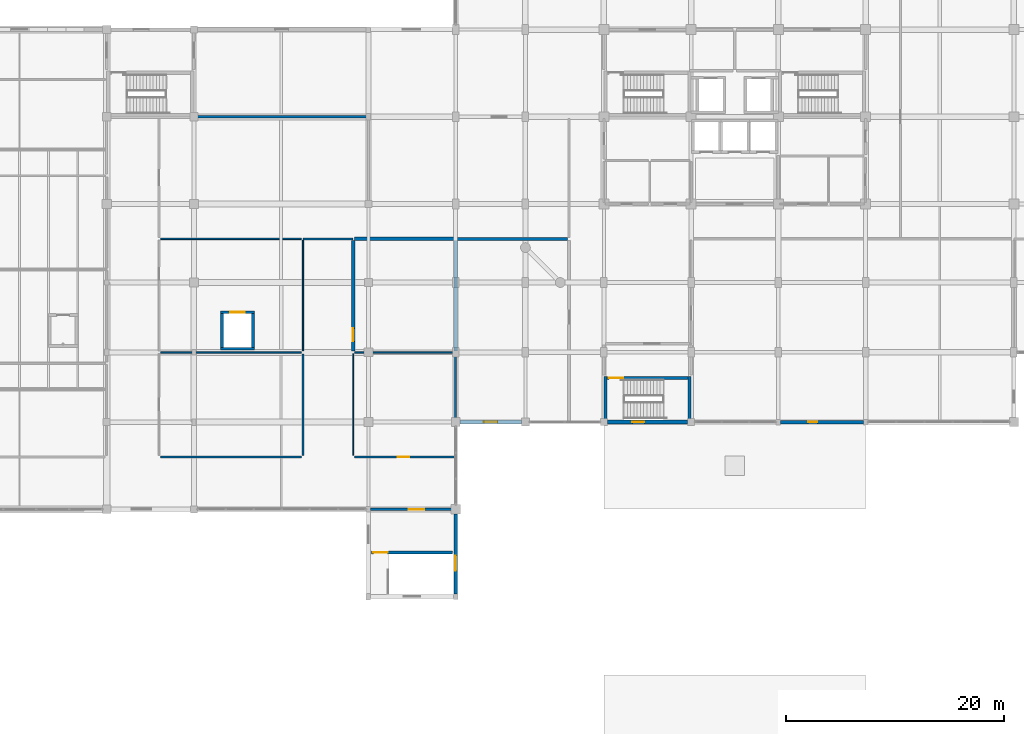
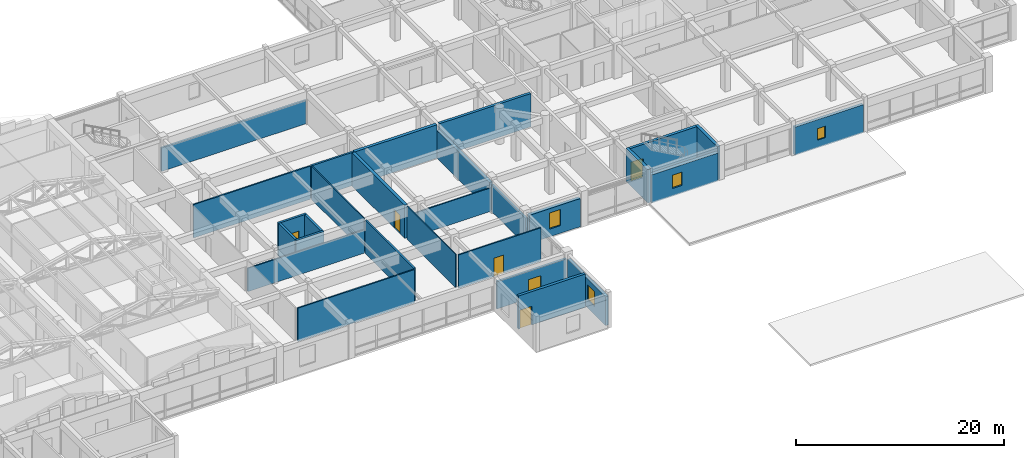
# One storey, part 29 of 35: 28 walls, 6 doors, 4 windows, 10 openings.
"""IFC4 building model written with IfcOpenShell, lengths in metres."""

from ifc_helpers import new_model, si_unit, direction, frame, frame_2d, origin, place, context, subcontext, project, spatial, rectangle, extrude, material, layer, layer_set, type_object, element, fill, save


model = new_model("IFC4")

# Units and contexts
model_context = context("Model", 3, precision=1e-05, world=origin(), true_north=direction((0.0, 1.0)))
body_context = subcontext(model_context, "Body", "Model", "MODEL_VIEW")
ifc_project = project(units=[si_unit("LENGTHUNIT", "METRE"), si_unit("AREAUNIT", "SQUARE_METRE"), si_unit("VOLUMEUNIT", "CUBIC_METRE"), si_unit("PLANEANGLEUNIT", "RADIAN"), si_unit("MASSUNIT", "GRAM", prefix="KILO")], contexts=[model_context])

# Site, building, storey
site_placement = place(None, origin())
site = spatial("IfcSite", under=ifc_project, at=site_placement, CompositionType="ELEMENT")
building_placement = place(site_placement, origin())
building = spatial("IfcBuilding", under=site, at=building_placement, Name="Vellmiral Cinema and Media Centre", CompositionType="ELEMENT")
storey_placement = place(building_placement, frame((0.0, 0.0, 15.60009765625)))
storey = spatial("IfcBuildingStorey", under=building, at=storey_placement, Name="L03", CompositionType="ELEMENT", Elevation=15.60009765625)

# Walls
ifc_material_1 = material(Name="Calcium-Silicate Masonry Blockwork", Category="masonry")
ifc_layer_1 = layer(ifc_material_1, 0.10009765625, Name="Calcium-Silicate Masonry Blockwork", Category="masonry")
ifc_material_2 = material(Name="Mineral Wool Acoustic Insulation", Category="insulation")
ifc_layer_2 = layer(ifc_material_2, 0.090087890625, Name="Mineral Wool Acoustic Insulation", Category="insulation")
ifc_layer_3 = layer(ifc_material_1, 0.10009765625, Name="Calcium-Silicate Masonry Blockwork", Category="masonry")
ifc_layer_set_1 = layer_set([ifc_layer_1, ifc_layer_2, ifc_layer_3], Name="Calcium-Silicate Masonry Blockwork")
wall_type_1 = type_object("IfcWallType", Name="WL-AC-290", PredefinedType="SOLIDWALL", material=ifc_layer_set_1)
wall_1_placement = place(storey_placement, frame((110.5400390625, 76.0, 0.0), z_axis=(0.0, 0.0, 1.0), x_axis=(1.0, 0.0, 0.0)))
element("IfcWall", 1, at=wall_1_placement, inside=storey, type_object=wall_type_1, Name="Colour Mastering Suite 02 Wall N", PredefinedType="SOLIDWALL", context=body_context, shape_type="SweptSolid", body=[
    extrude(rectangle(XDim=10.119873046875, YDim=0.2900390625, at=frame_2d((5.06005859375, 0.0))), origin(), (0.0, 0.0, 1.0), 3.89990234375),
])
ifc_material_3 = material(Name="Calcium-Silicate Masonry Blockwork", Category="masonry")
ifc_layer_4 = layer(ifc_material_3, 0.1201171875, Name="Calcium-Silicate Masonry Blockwork", Category="masonry")
ifc_material_4 = material(Name="Mineral Wool Acoustic Insulation", Category="insulation")
ifc_layer_5 = layer(ifc_material_4, 0.090087890625, Name="Mineral Wool Acoustic Insulation", Category="insulation")
ifc_layer_6 = layer(ifc_material_3, 0.1201171875, Name="Calcium-Silicate Masonry Blockwork", Category="masonry")
ifc_layer_set_2 = layer_set([ifc_layer_4, ifc_layer_5, ifc_layer_6], Name="Calcium-Silicate Masonry Blockwork")
wall_type_2 = type_object("IfcWallType", Name="WL-AC-330", PredefinedType="SOLIDWALL", material=ifc_layer_set_2)
wall_2_placement = place(storey_placement, frame((101.139892578125, 76.0, 0.0), z_axis=(0.0, 0.0, 1.0), x_axis=(1.0, 0.0, 0.0)))
element("IfcWall", 2, at=wall_2_placement, inside=storey, type_object=wall_type_2, Name="Colour Mastering Suite 01 Wall N", PredefinedType="SOLIDWALL", context=body_context, shape_type="SweptSolid", body=[
    extrude(rectangle(XDim=9.1201171875, YDim=0.330078125, at=frame_2d((4.56005859375, 0.0))), origin(), (0.0, 0.0, 1.0), 3.89990234375),
])

# Wall, opening, door
wall_3_placement = place(storey_placement, frame((101.0, 65.739990234375, 0.0), z_axis=(0.0, 0.0, 1.0), x_axis=(0.0, 1.0, 0.0)))
wall_3 = element("IfcWall", 3, at=wall_3_placement, inside=storey, type_object=wall_type_2, Name="Colour Mastering Suite 01 Wall W", PredefinedType="SOLIDWALL", context=body_context, shape_type="SweptSolid", body=[
    extrude(rectangle(XDim=10.1201171875, YDim=0.330078125, at=frame_2d((5.06005859375, 0.0))), origin(), (0.0, 0.0, 1.0), 3.89990234375),
])
opening_1_placement = place(wall_3_placement, frame((0.860107421875, 0.0, 0.0)))
opening_1 = element("IfcOpeningElement", 4, at=opening_1_placement, cuts=wall_3, Name="Opening D-AC5", PredefinedType="OPENING", context=body_context, shape_type="SweptSolid", body=[
    extrude(rectangle(XDim=1.199951171875, YDim=2.199951171875, at=frame_2d((0.60009765625, 1.10009765625))), frame((0.0, 0.177001953125, 0.0), z_axis=(0.0, -1.0, 0.0), x_axis=(1.0, 0.0, 0.0)), (0.0, 0.0, 1.0), 0.35400390625),
])
ifc_material_5 = material(Name="Acoustic Mastering Door", Category="steel")
door_type_1 = type_object("IfcDoorType", Name="DR-AC-1200x2200", OperationType="NOTDEFINED", PredefinedType="DOOR", material=ifc_material_5)
door_1_placement = place(opening_1_placement, frame((1.199951171875, 0.0, 0.0), z_axis=(0.0, 0.0, 1.0), x_axis=(-1.0, 0.0, 0.0)))
door_1 = element("IfcDoor", 5, at=door_1_placement, inside=storey, type_object=door_type_1, Name="Colour Mastering Suite 01 Door", OperationType="SINGLE_SWING_RIGHT", OverallHeight=2.199951171875, OverallWidth=1.199951171875, PredefinedType="DOOR", context=body_context, shape_type="SweptSolid", body=[
    extrude(rectangle(XDim=1.199951171875, YDim=2.199951171875, at=frame_2d((0.60009765625, 1.10009765625))), frame((0.0, 0.02490234375, 0.0), z_axis=(0.0, -1.0, 0.0), x_axis=(1.0, 0.0, 0.0)), (0.0, 0.0, 1.0), 0.050048828125),
])
fill(opening_1, door_1)

# Walls
wall_4_placement = place(storey_placement, frame((110.39990234375, 65.739990234375, 0.0), z_axis=(0.0, 0.0, 1.0), x_axis=(0.0, 1.0, 0.0)))
element("IfcWall", 6, at=wall_4_placement, inside=storey, type_object=wall_type_2, Name="Colour Mastering Suite 01 Wall E", PredefinedType="SOLIDWALL", context=body_context, shape_type="SweptSolid", body=[
    extrude(rectangle(XDim=10.1201171875, YDim=0.330078125, at=frame_2d((5.06005859375, 0.0))), origin(), (0.0, 0.0, 1.0), 3.244873046875),
])
ifc_material_6 = material(Name="Concrete C40/50", Category="concrete")
ifc_layer_7 = layer(ifc_material_6, 0.2099609375, Name="Concrete C40/50")
ifc_layer_set_3 = layer_set([ifc_layer_7], Name="Concrete C40/50")
wall_type_3 = type_object("IfcWallType", Name="WL-COMP-210", PredefinedType="SOLIDWALL", material=ifc_layer_set_3)
wall_5_placement = place(storey_placement, frame((96.39990234375, 76.0, 0.0), z_axis=(0.0, 0.0, 1.0), x_axis=(1.0, 0.0, 0.0)))
element("IfcWall", 7, at=wall_5_placement, inside=storey, type_object=wall_type_3, Name="Media Library Reference Stacks Wall S", PredefinedType="SOLIDWALL", context=body_context, shape_type="SweptSolid", body=[
    extrude(rectangle(XDim=4.60009765625, YDim=0.2099609375, at=frame_2d((2.300048828125, 0.0))), origin(), (0.0, 0.0, 1.0), 3.89990234375),
])
wall_6_placement = place(storey_placement, frame((86.239990234375, 87.199951171875, 0.0), z_axis=(0.0, 0.0, 1.0), x_axis=(1.0, 0.0, 0.0)))
element("IfcWall", 8, at=wall_6_placement, inside=storey, type_object=wall_type_3, Name="Media Library Reference Stacks Wall N", PredefinedType="SOLIDWALL", context=body_context, shape_type="SweptSolid", body=[
    extrude(rectangle(XDim=16.02001953125, YDim=0.2099609375, at=frame_2d((8.010009765625, 0.0))), origin(), (0.0, 0.0, 1.0), 2.744873046875),
])

# Wall, opening, door
ifc_material_7 = material(Name="Concrete C40/50", Category="concrete")
ifc_layer_8 = layer(ifc_material_7, 0.300048828125, Name="Concrete C40/50")
ifc_layer_set_4 = layer_set([ifc_layer_8], Name="Concrete C40/50")
wall_type_4 = type_object("IfcWallType", Name="WL-CORE-300", PredefinedType="SHEAR", material=ifc_layer_set_4)
wall_7_placement = place(storey_placement, frame((102.699951171875, 47.25, 0.0), z_axis=(0.0, 0.0, 1.0), x_axis=(1.0, 0.0, 0.0)))
wall_7 = element("IfcWall", 9, at=wall_7_placement, inside=storey, type_object=wall_type_4, Name="Stair Core Wall ST-P4 L03-N", PredefinedType="SHEAR", context=body_context, shape_type="SweptSolid", body=[
    extrude(rectangle(XDim=7.400146484375, YDim=0.300048828125, at=frame_2d((3.7001953125, 0.0))), origin(), (0.0, 0.0, 1.0), 3.89990234375),
])
opening_2_placement = place(wall_7_placement, frame((0.159912109375, 0.0, 0.0)))
opening_2 = element("IfcOpeningElement", 10, at=opening_2_placement, cuts=wall_7, Name="Opening D-FD30A", PredefinedType="OPENING", context=body_context, shape_type="SweptSolid", body=[
    extrude(rectangle(XDim=1.300048828125, YDim=2.179931640625, at=frame_2d((0.64990234375, 1.08984375))), frame((0.0, 0.162109375, 0.0), z_axis=(0.0, -1.0, 0.0), x_axis=(1.0, 0.0, 0.0)), (0.0, 0.0, 1.0), 0.323974609375),
])
ifc_material_8 = material(Name="Steel Stair Fire Door", Category="steel")
door_type_2 = type_object("IfcDoorType", Name="DR-FD30-1300x2180", OperationType="NOTDEFINED", PredefinedType="DOOR", material=ifc_material_8)
door_2_placement = place(opening_2_placement, frame((1.300048828125, 0.0, 0.0), z_axis=(0.0, 0.0, 1.0), x_axis=(-1.0, 0.0, 0.0)))
door_2 = element("IfcDoor", 11, at=door_2_placement, inside=storey, type_object=door_type_2, Name="Protected Stair Door ST-P4 L03", OperationType="SINGLE_SWING_RIGHT", OverallHeight=2.179931640625, OverallWidth=1.300048828125, PredefinedType="DOOR", context=body_context, shape_type="SweptSolid", body=[
    extrude(rectangle(XDim=1.300048828125, YDim=2.179931640625, at=frame_2d((0.64990234375, 1.08984375))), frame((0.0, 0.02490234375, 0.0), z_axis=(0.0, -1.0, 0.0), x_axis=(1.0, 0.0, 0.0)), (0.0, 0.0, 1.0), 0.050048828125),
])
fill(opening_2, door_2)

# Walls
for number, where, z_axis, x_axis, name in (
    (12, (124.14990234375, 59.199951171875, 0.0), (0.0, 0.0, 1.0), (0.0, 1.0, 0.0), "Stair Core Wall ST-P6 L03-W"),
    (13, (131.85009765625, 59.199951171875, 0.0), (0.0, 0.0, 1.0), (0.0, 1.0, 0.0), "Stair Core Wall ST-P6 L03-E"),
):
    element("IfcWall", number, at=place(storey_placement, frame(where, z_axis=z_axis, x_axis=x_axis)), inside=storey, type_object=wall_type_4, Name=name, PredefinedType="SHEAR", context=body_context, shape_type="SweptSolid", body=[
        extrude(rectangle(XDim=4.199951171875, YDim=0.300048828125, at=frame_2d((2.10009765625, 0.0))), origin(), (0.0, 0.0, 1.0), 3.89990234375),
    ])

# Wall, opening, door
wall_8_placement = place(storey_placement, frame((124.300048828125, 63.25, 0.0), z_axis=(0.0, 0.0, 1.0), x_axis=(1.0, 0.0, 0.0)))
wall_8 = element("IfcWall", 14, at=wall_8_placement, inside=storey, type_object=wall_type_4, Name="Stair Core Wall ST-P6 L03-N", PredefinedType="SHEAR", context=body_context, shape_type="SweptSolid", body=[
    extrude(rectangle(XDim=7.39990234375, YDim=0.300048828125, at=frame_2d((3.699951171875, 0.0))), origin(), (0.0, 0.0, 1.0), 3.89990234375),
])
opening_3_placement = place(wall_8_placement, frame((0.159912109375, 0.0, 0.0)))
opening_3 = element("IfcOpeningElement", 15, at=opening_3_placement, cuts=wall_8, Name="Opening D-FD30A", PredefinedType="OPENING", context=body_context, shape_type="SweptSolid", body=[
    extrude(rectangle(XDim=1.300048828125, YDim=2.179931640625, at=frame_2d((0.64990234375, 1.08984375))), frame((0.0, 0.162109375, 0.0), z_axis=(0.0, -1.0, 0.0), x_axis=(1.0, 0.0, 0.0)), (0.0, 0.0, 1.0), 0.323974609375),
])
door_3_placement = place(opening_3_placement, frame((1.300048828125, 0.0, 0.0), z_axis=(0.0, 0.0, 1.0), x_axis=(-1.0, 0.0, 0.0)))
door_3 = element("IfcDoor", 16, at=door_3_placement, inside=storey, type_object=door_type_2, Name="Protected Stair Door ST-P6 L03", OperationType="SINGLE_SWING_RIGHT", OverallHeight=2.179931640625, OverallWidth=1.300048828125, PredefinedType="DOOR", context=body_context, shape_type="SweptSolid", body=[
    extrude(rectangle(XDim=1.300048828125, YDim=2.179931640625, at=frame_2d((0.64990234375, 1.08984375))), frame((0.0, 0.02490234375, 0.0), z_axis=(0.0, -1.0, 0.0), x_axis=(1.0, 0.0, 0.0)), (0.0, 0.0, 1.0), 0.050048828125),
])
fill(opening_3, door_3)

# Wall, opening, window
ifc_material_9 = material(Name="Polychrome Glazed Ceramic Cladding", Category="masonry")
ifc_layer_9 = layer(ifc_material_9, 0.320068359375, Name="Polychrome Glazed Ceramic Cladding")
ifc_layer_set_5 = layer_set([ifc_layer_9], Name="Polychrome Glazed Ceramic Cladding")
wall_type_5 = type_object("IfcWallType", Name="WL-EXT-BRICK-320", PredefinedType="SOLIDWALL", material=ifc_layer_set_5)
wall_9_placement = place(storey_placement, frame((110.39990234375, 43.449951171875, 0.0), z_axis=(0.0, 0.0, 1.0), x_axis=(0.0, 1.0, 0.0)))
wall_9 = element("IfcWall", 17, at=wall_9_placement, inside=storey, type_object=wall_type_5, Name="Exterior Facade Wall L03-009", PredefinedType="SOLIDWALL", context=body_context, shape_type="SweptSolid", body=[
    extrude(rectangle(XDim=7.324951171875, YDim=0.320068359375, at=frame_2d((3.66259765625, 0.0))), origin(), (0.0, 0.0, 1.0), 3.375),
])
opening_4_placement = place(wall_9_placement, frame((2.112548828125, 0.0, 0.89990234375)))
opening_4 = element("IfcOpeningElement", 18, at=opening_4_placement, cuts=wall_9, Name="Opening WN-07", PredefinedType="OPENING", context=body_context, shape_type="SweptSolid", body=[
    extrude(rectangle(XDim=1.39990234375, YDim=1.800048828125, at=frame_2d((0.699951171875, 0.89990234375))), frame((0.0, 0.171875, 0.0), z_axis=(0.0, -1.0, 0.0), x_axis=(1.0, 0.0, 0.0)), (0.0, 0.0, 1.0), 0.343994140625),
])
ifc_material_10 = material(Name="Thermally Broken Aluminium Triple Glazing", Category="aluminium")
window_type_1 = type_object("IfcWindowType", Name="WN-1400x1800", PartitioningType="SINGLE_PANEL", PredefinedType="WINDOW", material=ifc_material_10)
window_1_placement = place(opening_4_placement, origin())
window_1 = element("IfcWindow", 19, at=window_1_placement, inside=storey, type_object=window_type_1, Name="Window L03-009", OverallHeight=1.800048828125, OverallWidth=1.39990234375, PartitioningType="SINGLE_PANEL", PredefinedType="WINDOW", context=body_context, shape_type="SweptSolid", body=[
    extrude(rectangle(XDim=1.39990234375, YDim=1.800048828125, at=frame_2d((0.699951171875, 0.89990234375))), frame((0.0, 0.030029296875, 0.0), z_axis=(0.0, -1.0, 0.0), x_axis=(1.0, 0.0, 0.0)), (0.0, 0.0, 1.0), 0.06005859375),
])
fill(opening_4, window_1)

wall_10_placement = place(storey_placement, frame((140.199951171875, 59.199951171875, 0.0), z_axis=(0.0, 0.0, 1.0), x_axis=(1.0, 0.0, 0.0)))
wall_10 = element("IfcWall", 20, at=wall_10_placement, inside=storey, type_object=wall_type_5, Name="Exterior Facade Wall L03-015", PredefinedType="SOLIDWALL", context=body_context, shape_type="SweptSolid", body=[
    extrude(rectangle(XDim=7.60009765625, YDim=0.320068359375, at=frame_2d((3.800048828125, 0.0))), origin(), (0.0, 0.0, 1.0), 3.2998046875),
])
opening_5_placement = place(wall_10_placement, frame((2.52490234375, 0.0, 0.89990234375)))
opening_5 = element("IfcOpeningElement", 21, at=opening_5_placement, cuts=wall_10, Name="Opening WN-13", PredefinedType="OPENING", context=body_context, shape_type="SweptSolid", body=[
    extrude(rectangle(XDim=0.85009765625, YDim=1.35009765625, at=frame_2d((0.425048828125, 0.675048828125))), frame((0.0, 0.171875, 0.0), z_axis=(0.0, -1.0, 0.0), x_axis=(1.0, 0.0, 0.0)), (0.0, 0.0, 1.0), 0.343994140625),
])
ifc_material_11 = material(Name="Thermally Broken Aluminium Triple Glazing", Category="aluminium")
window_type_2 = type_object("IfcWindowType", Name="WN-0850x1350", PartitioningType="SINGLE_PANEL", PredefinedType="WINDOW", material=ifc_material_11)
window_2_placement = place(opening_5_placement, origin())
window_2 = element("IfcWindow", 22, at=window_2_placement, inside=storey, type_object=window_type_2, Name="Window L03-015", OverallHeight=1.35009765625, OverallWidth=0.85009765625, PartitioningType="SINGLE_PANEL", PredefinedType="WINDOW", context=body_context, shape_type="SweptSolid", body=[
    extrude(rectangle(XDim=0.85009765625, YDim=1.35009765625, at=frame_2d((0.425048828125, 0.675048828125))), frame((0.0, 0.030029296875, 0.0), z_axis=(0.0, -1.0, 0.0), x_axis=(1.0, 0.0, 0.0)), (0.0, 0.0, 1.0), 0.06005859375),
])
fill(opening_5, window_2)

ifc_material_12 = material(Name="Vosges Red Sandstone Masonry", Category="masonry")
ifc_layer_10 = layer(ifc_material_12, 0.3798828125, Name="Vosges Red Sandstone Masonry")
ifc_layer_set_6 = layer_set([ifc_layer_10], Name="Vosges Red Sandstone Masonry")
wall_type_6 = type_object("IfcWallType", Name="WL-EXT-SAND-380", PredefinedType="SOLIDWALL", material=ifc_layer_set_6)
wall_11_placement = place(storey_placement, frame((110.800048828125, 59.199951171875, 0.0), z_axis=(0.0, 0.0, 1.0), x_axis=(1.0, 0.0, 0.0)))
wall_11 = element("IfcWall", 23, at=wall_11_placement, inside=storey, type_object=wall_type_6, Name="Exterior Facade Wall L03-011", PredefinedType="SOLIDWALL", context=body_context, shape_type="SweptSolid", body=[
    extrude(rectangle(XDim=5.625, YDim=0.3798828125, at=frame_2d((2.8125, 0.0))), origin(), (0.0, 0.0, 1.0), 3.2998046875),
])
opening_6_placement = place(wall_11_placement, frame((2.1875, 0.0, 0.89990234375)))
opening_6 = element("IfcOpeningElement", 24, at=opening_6_placement, cuts=wall_11, Name="Opening WN-09", PredefinedType="OPENING", context=body_context, shape_type="SweptSolid", body=[
    extrude(rectangle(XDim=1.25, YDim=1.89990234375, at=frame_2d((0.625, 0.949951171875))), frame((0.0, 0.201904296875, 0.0), z_axis=(0.0, -1.0, 0.0), x_axis=(1.0, 0.0, 0.0)), (0.0, 0.0, 1.0), 0.40380859375),
])
ifc_material_13 = material(Name="Thermally Broken Aluminium Triple Glazing", Category="aluminium")
window_type_3 = type_object("IfcWindowType", Name="WN-1250x1900", PartitioningType="SINGLE_PANEL", PredefinedType="WINDOW", material=ifc_material_13)
window_3_placement = place(opening_6_placement, origin())
window_3 = element("IfcWindow", 25, at=window_3_placement, inside=storey, type_object=window_type_3, Name="Window L03-011", OverallHeight=1.89990234375, OverallWidth=1.25, PartitioningType="SINGLE_PANEL", PredefinedType="WINDOW", context=body_context, shape_type="SweptSolid", body=[
    extrude(rectangle(XDim=1.25, YDim=1.89990234375, at=frame_2d((0.625, 0.949951171875))), frame((0.0, 0.030029296875, 0.0), z_axis=(0.0, -1.0, 0.0), x_axis=(1.0, 0.0, 0.0)), (0.0, 0.0, 1.0), 0.06005859375),
])
fill(opening_6, window_3)

wall_12_placement = place(storey_placement, frame((124.324951171875, 59.199951171875, 0.0), z_axis=(0.0, 0.0, 1.0), x_axis=(1.0, 0.0, 0.0)))
wall_12 = element("IfcWall", 26, at=wall_12_placement, inside=storey, type_object=wall_type_6, Name="Exterior Facade Wall L03-013", PredefinedType="SOLIDWALL", context=body_context, shape_type="SweptSolid", body=[
    extrude(rectangle(XDim=7.35009765625, YDim=0.3798828125, at=frame_2d((3.675048828125, 0.0))), origin(), (0.0, 0.0, 1.0), 3.294921875),
])
opening_7_placement = place(wall_12_placement, frame((2.27490234375, 0.0, 0.89990234375)))
opening_7 = element("IfcOpeningElement", 27, at=opening_7_placement, cuts=wall_12, Name="Opening WN-11", PredefinedType="OPENING", context=body_context, shape_type="SweptSolid", body=[
    extrude(rectangle(XDim=1.10009765625, YDim=1.550048828125, at=frame_2d((0.550048828125, 0.77490234375))), frame((0.0, 0.201904296875, 0.0), z_axis=(0.0, -1.0, 0.0), x_axis=(1.0, 0.0, 0.0)), (0.0, 0.0, 1.0), 0.40380859375),
])
ifc_material_14 = material(Name="Thermally Broken Aluminium Triple Glazing", Category="aluminium")
window_type_4 = type_object("IfcWindowType", Name="WN-1100x1550", PartitioningType="SINGLE_PANEL", PredefinedType="WINDOW", material=ifc_material_14)
window_4_placement = place(opening_7_placement, origin())
window_4 = element("IfcWindow", 28, at=window_4_placement, inside=storey, type_object=window_type_4, Name="Window L03-013", OverallHeight=1.550048828125, OverallWidth=1.10009765625, PartitioningType="SINGLE_PANEL", PredefinedType="WINDOW", context=body_context, shape_type="SweptSolid", body=[
    extrude(rectangle(XDim=1.10009765625, YDim=1.550048828125, at=frame_2d((0.550048828125, 0.77490234375))), frame((0.0, 0.030029296875, 0.0), z_axis=(0.0, -1.0, 0.0), x_axis=(1.0, 0.0, 0.0)), (0.0, 0.0, 1.0), 0.06005859375),
])
fill(opening_7, window_4)

# Wall, opening, door
ifc_material_15 = material(Name="Concrete C40/50", Category="concrete")
ifc_layer_11 = layer(ifc_material_15, 0.22998046875, Name="Concrete C40/50")
ifc_layer_set_7 = layer_set([ifc_layer_11], Name="Concrete C40/50")
wall_type_7 = type_object("IfcWallType", Name="WL-FFL-230", PredefinedType="SOLIDWALL", material=ifc_layer_set_7)
wall_13_placement = place(storey_placement, frame((102.60498046875, 51.199951171875, 0.0), z_axis=(0.0, 0.0, 1.0), x_axis=(1.0, 0.0, 0.0)))
wall_13 = element("IfcWall", 29, at=wall_13_placement, inside=storey, type_object=wall_type_7, Name="Firefighting Stair Lobby ST-P4 Wall N", PredefinedType="SOLIDWALL", context=body_context, shape_type="SweptSolid", body=[
    extrude(rectangle(XDim=7.68994140625, YDim=0.22998046875, at=frame_2d((3.844970703125, 0.0))), origin(), (0.0, 0.0, 1.0), 3.19482421875),
])
opening_8_placement = place(wall_13_placement, frame((3.4951171875, 0.0, 0.0)))
opening_8 = element("IfcOpeningElement", 30, at=opening_8_placement, cuts=wall_13, Name="Opening D-FD60B", PredefinedType="OPENING", context=body_context, shape_type="SweptSolid", body=[
    extrude(rectangle(XDim=1.39990234375, YDim=2.199951171875, at=frame_2d((0.699951171875, 1.10009765625))), frame((0.0, 0.126953125, 0.0), z_axis=(0.0, -1.0, 0.0), x_axis=(1.0, 0.0, 0.0)), (0.0, 0.0, 1.0), 0.25390625),
])
ifc_material_16 = material(Name="Steel Fire Door", Category="steel")
door_type_3 = type_object("IfcDoorType", Name="DR-FD60-1400x2200", OperationType="NOTDEFINED", PredefinedType="DOOR", material=ifc_material_16)
door_4_placement = place(opening_8_placement, frame((1.39990234375, 0.0, 0.0), z_axis=(0.0, 0.0, 1.0), x_axis=(-1.0, 0.0, 0.0)))
door_4 = element("IfcDoor", 31, at=door_4_placement, inside=storey, type_object=door_type_3, Name="Firefighting Stair Lobby ST-P4 Door", OperationType="SINGLE_SWING_LEFT", OverallHeight=2.199951171875, OverallWidth=1.39990234375, PredefinedType="DOOR", context=body_context, shape_type="SweptSolid", body=[
    extrude(rectangle(XDim=1.39990234375, YDim=2.199951171875, at=frame_2d((0.699951171875, 1.10009765625))), frame((0.0, 0.02490234375, 0.0), z_axis=(0.0, -1.0, 0.0), x_axis=(1.0, 0.0, 0.0)), (0.0, 0.0, 1.0), 0.050048828125),
])
fill(opening_8, door_4)

# Walls
ifc_material_17 = material(Name="Gypsum Plasterboard")
ifc_layer_12 = layer(ifc_material_17, 0.02490234375, Name="Gypsum Plasterboard", Category="gypsum")
ifc_material_18 = material(Name="Mineral Wool Acoustic Insulation", Category="insulation")
ifc_layer_13 = layer(ifc_material_18, 0.06005859375, Name="Mineral Wool Acoustic Insulation", Category="insulation")
ifc_layer_14 = layer(ifc_material_17, 0.02490234375, Name="Gypsum Plasterboard", Category="gypsum")
ifc_layer_set_8 = layer_set([ifc_layer_12, ifc_layer_13, ifc_layer_14], Name="Gypsum Plasterboard")
wall_type_8 = type_object("IfcWallType", Name="WL-PART-110", PredefinedType="PARTITIONING", material=ifc_layer_set_8)
wall_14_placement = place(storey_placement, frame((101.0, 56.139892578125, 0.0), z_axis=(0.0, 0.0, 1.0), x_axis=(0.0, 1.0, 0.0)))
element("IfcWall", 32, at=wall_14_placement, inside=storey, type_object=wall_type_8, Name="Editing Suite 11 Wall W", PredefinedType="PARTITIONING", context=body_context, shape_type="SweptSolid", body=[
    extrude(rectangle(XDim=9.320068359375, YDim=0.110107421875, at=frame_2d((4.66015625, 0.0))), origin(), (0.0, 0.0, 1.0), 3.89990234375),
])
wall_15_placement = place(storey_placement, frame((96.39990234375, 65.739990234375, 0.0), z_axis=(0.0, 0.0, 1.0), x_axis=(0.0, 1.0, 0.0)))
element("IfcWall", 33, at=wall_15_placement, inside=storey, type_object=wall_type_8, Name="Editing Suite 12 Wall E", PredefinedType="PARTITIONING", context=body_context, shape_type="SweptSolid", body=[
    extrude(rectangle(XDim=10.1201171875, YDim=0.110107421875, at=frame_2d((5.06005859375, 0.0))), origin(), (0.0, 0.0, 1.0), 3.89990234375),
])
ifc_material_19 = material(Name="Gypsum Plasterboard")
ifc_layer_15 = layer(ifc_material_19, 0.02490234375, Name="Gypsum Plasterboard", Category="gypsum")
ifc_material_20 = material(Name="Mineral Wool Acoustic Insulation", Category="insulation")
ifc_layer_16 = layer(ifc_material_20, 0.080078125, Name="Mineral Wool Acoustic Insulation", Category="insulation")
ifc_layer_17 = layer(ifc_material_19, 0.02490234375, Name="Gypsum Plasterboard", Category="gypsum")
ifc_layer_set_9 = layer_set([ifc_layer_15, ifc_layer_16, ifc_layer_17], Name="Gypsum Plasterboard")
wall_type_9 = type_object("IfcWallType", Name="WL-PART-130", PredefinedType="PARTITIONING", material=ifc_layer_set_9)
wall_16_placement = place(storey_placement, frame((83.340087890625, 65.60009765625, 0.0), z_axis=(0.0, 0.0, 1.0), x_axis=(1.0, 0.0, 0.0)))
element("IfcWall", 34, at=wall_16_placement, inside=storey, type_object=wall_type_9, Name="Editing Suite 10 Wall N", PredefinedType="PARTITIONING", context=body_context, shape_type="SweptSolid", body=[
    extrude(rectangle(XDim=12.919921875, YDim=0.1298828125, at=frame_2d((6.4599609375, 0.0))), origin(), (0.0, 0.0, 1.0), 2.744873046875),
])
wall_17_placement = place(storey_placement, frame((101.139892578125, 65.60009765625, 0.0), z_axis=(0.0, 0.0, 1.0), x_axis=(1.0, 0.0, 0.0)))
element("IfcWall", 35, at=wall_17_placement, inside=storey, type_object=wall_type_9, Name="Editing Suite 11 Wall N", PredefinedType="PARTITIONING", context=body_context, shape_type="SweptSolid", body=[
    extrude(rectangle(XDim=9.1201171875, YDim=0.1298828125, at=frame_2d((4.56005859375, 0.0))), origin(), (0.0, 0.0, 1.0), 2.744873046875),
])
ifc_material_21 = material(Name="Gypsum Plasterboard")
ifc_layer_18 = layer(ifc_material_21, 0.02490234375, Name="Gypsum Plasterboard", Category="gypsum")
ifc_material_22 = material(Name="Mineral Wool Acoustic Insulation", Category="insulation")
ifc_layer_19 = layer(ifc_material_22, 0.10009765625, Name="Mineral Wool Acoustic Insulation", Category="insulation")
ifc_layer_20 = layer(ifc_material_21, 0.02490234375, Name="Gypsum Plasterboard", Category="gypsum")
ifc_layer_set_10 = layer_set([ifc_layer_18, ifc_layer_19, ifc_layer_20], Name="Gypsum Plasterboard")
wall_type_10 = type_object("IfcWallType", Name="WL-PART-150", PredefinedType="PARTITIONING", material=ifc_layer_set_10)
wall_18_placement = place(storey_placement, frame((83.340087890625, 56.0, 0.0), z_axis=(0.0, 0.0, 1.0), x_axis=(1.0, 0.0, 0.0)))
element("IfcWall", 36, at=wall_18_placement, inside=storey, type_object=wall_type_10, Name="Editing Suite 10 Wall S", PredefinedType="PARTITIONING", context=body_context, shape_type="SweptSolid", body=[
    extrude(rectangle(XDim=12.919921875, YDim=0.14990234375, at=frame_2d((6.4599609375, 0.0))), origin(), (0.0, 0.0, 1.0), 3.89990234375),
])

# Wall, opening, door
wall_19_placement = place(storey_placement, frame((101.139892578125, 56.0, 0.0), z_axis=(0.0, 0.0, 1.0), x_axis=(1.0, 0.0, 0.0)))
wall_19 = element("IfcWall", 37, at=wall_19_placement, inside=storey, type_object=wall_type_10, Name="Editing Suite 11 Wall S", PredefinedType="PARTITIONING", context=body_context, shape_type="SweptSolid", body=[
    extrude(rectangle(XDim=9.155029296875, YDim=0.14990234375, at=frame_2d((4.57763671875, 0.0))), origin(), (0.0, 0.0, 1.0), 3.89990234375),
])
opening_9_placement = place(wall_19_placement, frame((3.93505859375, 0.0, 0.0)))
opening_9 = element("IfcOpeningElement", 38, at=opening_9_placement, cuts=wall_19, Name="Opening D-AC6", PredefinedType="OPENING", context=body_context, shape_type="SweptSolid", body=[
    extrude(rectangle(XDim=1.050048828125, YDim=2.14990234375, at=frame_2d((0.52490234375, 1.074951171875))), frame((0.0, 0.0869140625, 0.0), z_axis=(0.0, -1.0, 0.0), x_axis=(1.0, 0.0, 0.0)), (0.0, 0.0, 1.0), 0.173828125),
])
ifc_material_23 = material(Name="Acoustic Editing Suite Door", Category="wood")
door_type_4 = type_object("IfcDoorType", Name="DR-AC-1050x2150", OperationType="NOTDEFINED", PredefinedType="DOOR", material=ifc_material_23)
door_5_placement = place(opening_9_placement, origin())
door_5 = element("IfcDoor", 39, at=door_5_placement, inside=storey, type_object=door_type_4, Name="Editing Suite 11 Door", OperationType="SINGLE_SWING_LEFT", OverallHeight=2.14990234375, OverallWidth=1.050048828125, PredefinedType="DOOR", context=body_context, shape_type="SweptSolid", body=[
    extrude(rectangle(XDim=1.050048828125, YDim=2.14990234375, at=frame_2d((0.52490234375, 1.074951171875))), frame((0.0, 0.02490234375, 0.0), z_axis=(0.0, -1.0, 0.0), x_axis=(1.0, 0.0, 0.0)), (0.0, 0.0, 1.0), 0.050048828125),
])
fill(opening_9, door_5)

# Walls
wall_20_placement = place(storey_placement, frame((83.340087890625, 76.0, 0.0), z_axis=(0.0, 0.0, 1.0), x_axis=(1.0, 0.0, 0.0)))
element("IfcWall", 40, at=wall_20_placement, inside=storey, type_object=wall_type_10, Name="Editing Suite 12 Wall N", PredefinedType="PARTITIONING", context=body_context, shape_type="SweptSolid", body=[
    extrude(rectangle(XDim=12.919921875, YDim=0.14990234375, at=frame_2d((6.4599609375, 0.0))), origin(), (0.0, 0.0, 1.0), 3.89990234375),
])
ifc_material_24 = material(Name="Gypsum Plasterboard")
ifc_layer_21 = layer(ifc_material_24, 0.02490234375, Name="Gypsum Plasterboard", Category="gypsum")
ifc_material_25 = material(Name="Mineral Wool Acoustic Insulation", Category="insulation")
ifc_layer_22 = layer(ifc_material_25, 0.139892578125, Name="Mineral Wool Acoustic Insulation", Category="insulation")
ifc_layer_23 = layer(ifc_material_24, 0.02490234375, Name="Gypsum Plasterboard", Category="gypsum")
ifc_layer_set_11 = layer_set([ifc_layer_21, ifc_layer_22, ifc_layer_23], Name="Gypsum Plasterboard")
wall_type_11 = type_object("IfcWallType", Name="WL-PART-190", PredefinedType="PARTITIONING", material=ifc_layer_set_11)
wall_21_placement = place(storey_placement, frame((96.39990234375, 56.139892578125, 0.0), z_axis=(0.0, 0.0, 1.0), x_axis=(0.0, 1.0, 0.0)))
element("IfcWall", 41, at=wall_21_placement, inside=storey, type_object=wall_type_11, Name="Editing Suite 10 Wall E", PredefinedType="PARTITIONING", context=body_context, shape_type="SweptSolid", body=[
    extrude(rectangle(XDim=9.320068359375, YDim=0.18994140625, at=frame_2d((4.66015625, 0.0))), origin(), (0.0, 0.0, 1.0), 3.89990234375),
])
wall_22_placement = place(storey_placement, frame((110.39990234375, 58.93994140625, 0.0), z_axis=(0.0, 0.0, 1.0), x_axis=(0.0, 1.0, 0.0)))
element("IfcWall", 42, at=wall_22_placement, inside=storey, type_object=wall_type_11, Name="Editing Suite 11 Wall E", PredefinedType="PARTITIONING", context=body_context, shape_type="SweptSolid", body=[
    extrude(rectangle(XDim=6.52001953125, YDim=0.18994140625, at=frame_2d((3.260009765625, 0.0))), origin(), (0.0, 0.0, 1.0), 3.19482421875),
])
ifc_material_26 = material(Name="Concrete C40/50", Category="concrete")
ifc_layer_24 = layer(ifc_material_26, 0.25, Name="Concrete C40/50")
ifc_layer_set_12 = layer_set([ifc_layer_24], Name="Concrete C40/50")
wall_type_12 = type_object("IfcWallType", Name="WL-SHAFT-250", PredefinedType="SHEAR", material=ifc_layer_set_12)
wall_23_placement = place(storey_placement, frame((88.85009765625, 65.925048828125, 0.0), z_axis=(0.0, 0.0, 1.0), x_axis=(1.0, 0.0, 0.0)))
element("IfcWall", 43, at=wall_23_placement, inside=storey, type_object=wall_type_12, Name="Lift Shaft Wall LF-G1 L03-S", PredefinedType="SHEAR", context=body_context, shape_type="SweptSolid", body=[
    extrude(rectangle(XDim=3.099853515625, YDim=0.25, at=frame_2d((1.5498046875, 0.0))), origin(), (0.0, 0.0, 1.0), 3.89990234375),
])

# Wall, opening, door
wall_24_placement = place(storey_placement, frame((88.85009765625, 69.27490234375, 0.0), z_axis=(0.0, 0.0, 1.0), x_axis=(1.0, 0.0, 0.0)))
wall_24 = element("IfcWall", 44, at=wall_24_placement, inside=storey, type_object=wall_type_12, Name="Lift Shaft Wall LF-G1 L03-N", PredefinedType="SHEAR", context=body_context, shape_type="SweptSolid", body=[
    extrude(rectangle(XDim=3.099853515625, YDim=0.25, at=frame_2d((1.5498046875, 0.0))), origin(), (0.0, 0.0, 1.0), 3.89990234375),
])
opening_10_placement = place(wall_24_placement, frame((0.875, 0.0, 0.0)))
opening_10 = element("IfcOpeningElement", 45, at=opening_10_placement, cuts=wall_24, Name="Opening LD-02", PredefinedType="OPENING", context=body_context, shape_type="SweptSolid", body=[
    extrude(rectangle(XDim=1.35009765625, YDim=2.199951171875, at=frame_2d((0.675048828125, 1.10009765625))), frame((0.0, 0.136962890625, 0.0), z_axis=(0.0, -1.0, 0.0), x_axis=(1.0, 0.0, 0.0)), (0.0, 0.0, 1.0), 0.27392578125),
])
ifc_material_27 = material(Name="Stainless Steel Goods Lift Landing Door", Category="steel")
door_type_5 = type_object("IfcDoorType", Name="DR-LIFT-1350x2200", OperationType="SLIDING_TO_LEFT", PredefinedType="DOOR", material=ifc_material_27)
door_6_placement = place(opening_10_placement, origin())
door_6 = element("IfcDoor", 46, at=door_6_placement, inside=storey, type_object=door_type_5, Name="Lift Landing Door LF-G1 L03", OperationType="SLIDING_TO_LEFT", OverallHeight=2.199951171875, OverallWidth=1.35009765625, PredefinedType="DOOR", context=body_context, shape_type="SweptSolid", body=[
    extrude(rectangle(XDim=1.35009765625, YDim=2.199951171875, at=frame_2d((0.675048828125, 1.10009765625))), frame((0.0, 0.02490234375, 0.0), z_axis=(0.0, -1.0, 0.0), x_axis=(1.0, 0.0, 0.0)), (0.0, 0.0, 1.0), 0.050048828125),
])
fill(opening_10, door_6)

# Walls
for number, where, z_axis, x_axis, name in (
    (47, (88.97509765625, 66.050048828125, 0.0), (0.0, 0.0, 1.0), (0.0, 1.0, 0.0), "Lift Shaft Wall LF-G1 L03-W"),
    (48, (91.824951171875, 66.050048828125, 0.0), (0.0, 0.0, 1.0), (0.0, 1.0, 0.0), "Lift Shaft Wall LF-G1 L03-E"),
):
    element("IfcWall", number, at=place(storey_placement, frame(where, z_axis=z_axis, x_axis=x_axis)), inside=storey, type_object=wall_type_12, Name=name, PredefinedType="SHEAR", context=body_context, shape_type="SweptSolid", body=[
        extrude(rectangle(XDim=3.099853515625, YDim=0.25, at=frame_2d((1.5498046875, 0.0))), origin(), (0.0, 0.0, 1.0), 3.89990234375),
    ])

save(model, "model.ifc")
